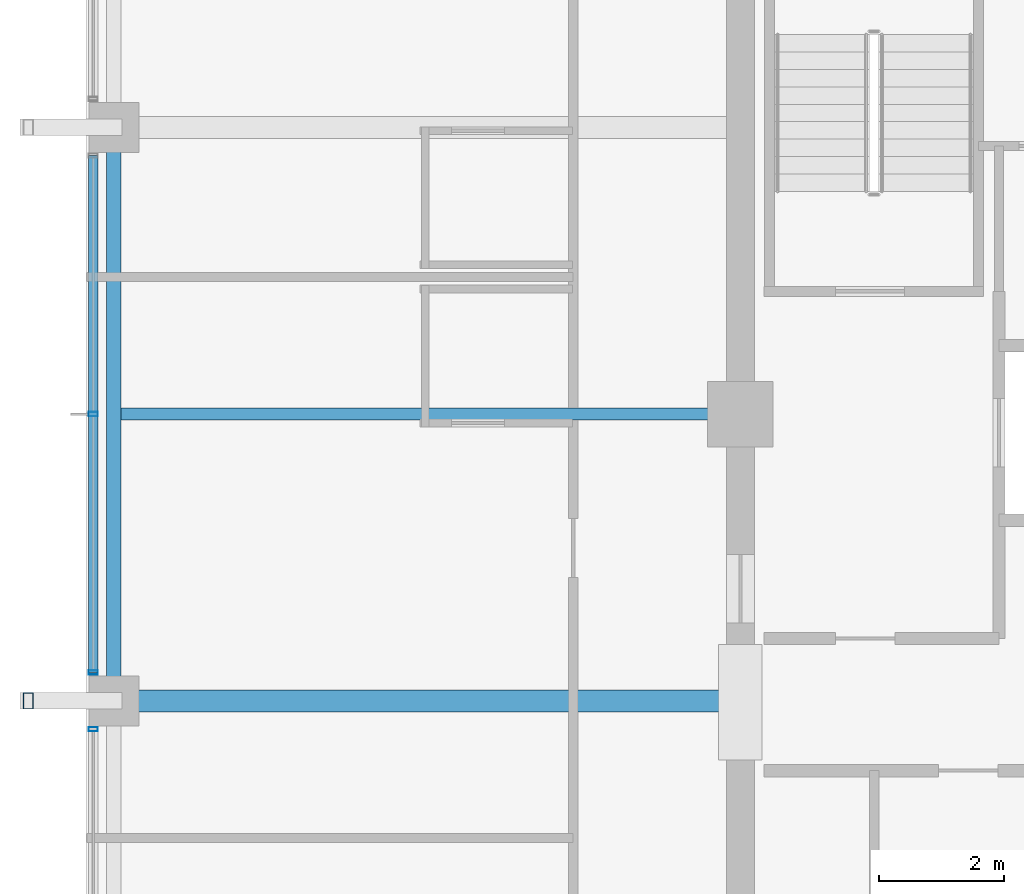
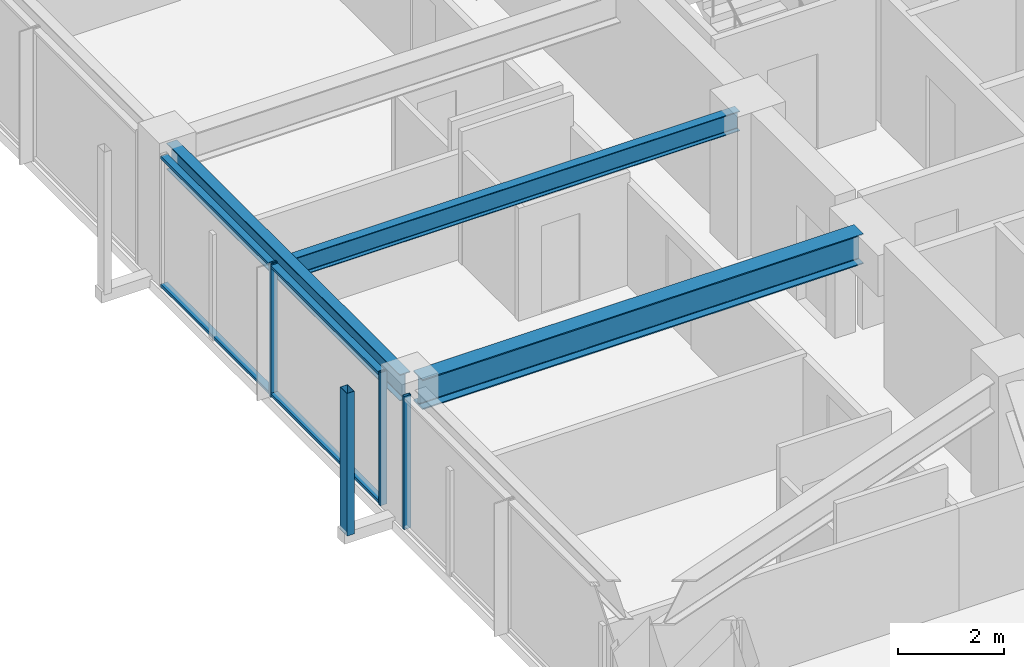
# One storey, part 8 of 38: 6 members, 3 beams, 2 elements without a shape of their own.
"""IFC4 building model written with IfcOpenShell, lengths in metres."""

from ifc_helpers import new_model, si_unit, direction, frame, origin, origin_2d, place, context, subcontext, project, spatial, hollow_rectangle, i_section, extrude, material, material_profile, profile_set, type_object, element, aggregate, save


model = new_model("IFC4")

# Units and contexts
model_context = context("Model", 3, precision=1e-05, world=origin(), true_north=direction((0.0, 1.0)))
body_context = subcontext(model_context, "Body", "Model", "MODEL_VIEW")
ifc_project = project(units=[si_unit("LENGTHUNIT", "METRE"), si_unit("AREAUNIT", "SQUARE_METRE"), si_unit("VOLUMEUNIT", "CUBIC_METRE"), si_unit("PLANEANGLEUNIT", "RADIAN"), si_unit("MASSUNIT", "GRAM", prefix="KILO")], contexts=[model_context])

# Site, building, storey
site_placement = place(None, origin())
site = spatial("IfcSite", under=ifc_project, at=site_placement, CompositionType="ELEMENT")
building_placement = place(site_placement, origin())
building = spatial("IfcBuilding", under=site, at=building_placement, Name="Kolvaren Belvedere", CompositionType="ELEMENT")
storey_placement = place(building_placement, frame((0.0, 0.0, 213.0)))
storey = spatial("IfcBuildingStorey", under=building, at=storey_placement, Name="L62", CompositionType="ELEMENT", Elevation=213.0)

# Beams
ifc_material_1 = material(Name="Structural steel ASTM A992 Grade 50", Category="steel")
ifc_material_profile_1 = material_profile(ifc_material_1, i_section(OverallWidth=0.35498046875, OverallDepth=0.696044921875, WebThickness=0.015380859375, FlangeThickness=0.02490234375, FilletRadius=0.02197265625, at=origin_2d()), Name="W27X146")
ifc_profile_set_1 = profile_set([ifc_material_profile_1], Name="Structural steel ASTM A992 Grade 50")
beam_type_1 = type_object("IfcBeamType", Name="BM-GIRD-W27X146", PredefinedType="BEAM", material=ifc_profile_set_1)
beam_1_placement = place(storey_placement, frame((-10.125, -4.60009765625, 2.73193359375), z_axis=(-1.0, 0.0, 0.0), x_axis=(0.0, -1.0, 0.0)))
element("IfcBeam", 1, at=beam_1_placement, inside=storey, type_object=beam_type_1, Name="L62 West Radial Girder M", PredefinedType="BEAM", context=body_context, shape_type="SweptSolid", body=[
    extrude(i_section(OverallWidth=0.35498046875, OverallDepth=0.696044921875, WebThickness=0.015380859375, FlangeThickness=0.02490234375, FilletRadius=0.02197265625, at=origin_2d()), origin(), (0.0, 0.0, 1.0), 9.64501953125),
])
ifc_material_2 = material(Name="Structural steel ASTM A992 Grade 50", Category="steel")
ifc_material_profile_2 = material_profile(ifc_material_2, i_section(OverallWidth=0.19091796875, OverallDepth=0.4599609375, WebThickness=0.010009765625, FlangeThickness=0.01611328125, FilletRadius=0.014892578125, at=origin_2d()), Name="W18X55")
ifc_profile_set_2 = profile_set([ifc_material_profile_2], Name="Structural steel ASTM A992 Grade 50")
beam_type_2 = type_object("IfcBeamType", Name="BM-JOIST-W18X55", PredefinedType="BEAM", material=ifc_profile_set_2)
beam_2_placement = place(storey_placement, frame((-10.125, 0.0, 2.85009765625), z_axis=(-1.0, 0.0, 0.0), x_axis=(0.0, -1.0, 0.0)))
element("IfcBeam", 2, at=beam_2_placement, inside=storey, type_object=beam_type_2, Name="L62 West Centre Floor Beam", PredefinedType="BEAM", context=body_context, shape_type="SweptSolid", body=[
    extrude(i_section(OverallWidth=0.19091796875, OverallDepth=0.4599609375, WebThickness=0.010009765625, FlangeThickness=0.01611328125, FilletRadius=0.014892578125, at=origin_2d()), origin(), (0.0, 0.0, 1.0), 9.71044921875),
])
ifc_material_3 = material(Name="Structural steel ASTM A992 Grade 50", Category="steel")
ifc_material_profile_3 = material_profile(ifc_material_3, i_section(OverallWidth=0.22900390625, OverallDepth=0.612060546875, WebThickness=0.011962890625, FlangeThickness=0.01953125, FilletRadius=0.01806640625, at=origin_2d()), Name="W24X84")
ifc_profile_set_3 = profile_set([ifc_material_profile_3], Name="Structural steel ASTM A992 Grade 50")
beam_type_3 = type_object("IfcBeamType", Name="BM-SPAN-W24X84", PredefinedType="SPANDREL", material=ifc_profile_set_3)
beam_3_placement = place(storey_placement, frame((-19.949951171875, 4.419921875, 2.77392578125), z_axis=(0.0, -1.0, 0.0), x_axis=(1.0, 0.0, 0.0)))
element("IfcBeam", 3, at=beam_3_placement, inside=storey, type_object=beam_type_3, Name="L62 Perimeter Spandrel W3-W2", PredefinedType="SPANDREL", context=body_context, shape_type="SweptSolid", body=[
    extrude(i_section(OverallWidth=0.22900390625, OverallDepth=0.612060546875, WebThickness=0.011962890625, FlangeThickness=0.01953125, FilletRadius=0.01806640625, at=origin_2d()), origin(), (0.0, 0.0, 1.0), 8.83984375),
])

# Curtain wall, member
ifc_material_4 = material(Name="Anodised pale-metal aluminium AA 6063-T6", Category="aluminium")
curtain_wall_type = type_object("IfcCurtainWallType", Name="CW-Z5-HIGH", PredefinedType="NOTDEFINED", material=ifc_material_4)
curtain_wall_1_placement = place(storey_placement, origin())
curtain_wall_1 = element("IfcCurtainWall", 4, at=curtain_wall_1_placement, inside=storey, type_object=curtain_wall_type, Name="L62 Unitised Curtain Wall FCW-L62-W-B1", PredefinedType="NOTDEFINED")
ifc_material_5 = material(Name="Anodised pale-metal aluminium AA 6063-T6", Category="aluminium")
ifc_material_profile_4 = material_profile(ifc_material_5, hollow_rectangle(XDim=0.070068359375, YDim=0.14990234375, WallThickness=0.004150390625, at=origin_2d()), Name="ALU-MUL-150X70")
ifc_profile_set_4 = profile_set([ifc_material_profile_4], Name="Anodised pale-metal aluminium AA 6063-T6")
member_type_1 = type_object("IfcMemberType", Name="CW-MUL-150", PredefinedType="MULLION", material=ifc_profile_set_4)
member_1_placement = place(storey_placement, frame((-20.280029296875, -5.054931640625, 0.0), z_axis=(0.0, 0.0, 1.0), x_axis=(0.0, 1.0, 0.0)))
member_1 = element("IfcMember", 5, at=member_1_placement, type_object=member_type_1, Name="FCW-L62-W-B1 Unitised Mullion 3", PredefinedType="MULLION", context=body_context, shape_type="SweptSolid", body=[
    extrude(hollow_rectangle(XDim=0.070068359375, YDim=0.14990234375, WallThickness=0.004150390625, at=origin_2d()), origin(), (0.0, 0.0, 1.0), 3.080078125),
])
aggregate(curtain_wall_1, [member_1])

# Curtain wall, members
curtain_wall_2_placement = place(storey_placement, origin())
curtain_wall_2 = element("IfcCurtainWall", 6, at=curtain_wall_2_placement, inside=storey, type_object=curtain_wall_type, Name="L62 Unitised Curtain Wall FCW-L62-W-B2", PredefinedType="NOTDEFINED")
member_2_placement = place(storey_placement, frame((-20.280029296875, -4.14501953125, 0.0), z_axis=(0.0, 0.0, 1.0), x_axis=(0.0, 1.0, 0.0)))
member_2 = element("IfcMember", 7, at=member_2_placement, type_object=member_type_1, Name="FCW-L62-W-B2 Unitised Mullion 1", PredefinedType="MULLION", context=body_context, shape_type="SweptSolid", body=[
    extrude(hollow_rectangle(XDim=0.070068359375, YDim=0.14990234375, WallThickness=0.004150390625, at=origin_2d()), origin(), (0.0, 0.0, 1.0), 3.080078125),
])
member_3_placement = place(storey_placement, frame((-20.280029296875, 0.0, 0.0), z_axis=(0.0, 0.0, 1.0), x_axis=(0.0, 1.0, 0.0)))
member_3 = element("IfcMember", 8, at=member_3_placement, type_object=member_type_1, Name="FCW-L62-W-B2 Unitised Mullion 2", PredefinedType="MULLION", context=body_context, shape_type="SweptSolid", body=[
    extrude(hollow_rectangle(XDim=0.070068359375, YDim=0.14990234375, WallThickness=0.004150390625, at=origin_2d()), origin(), (0.0, 0.0, 1.0), 3.080078125),
])
ifc_material_6 = material(Name="Anodised pale-metal aluminium AA 6063-T6", Category="aluminium")
ifc_material_profile_5 = material_profile(ifc_material_6, hollow_rectangle(XDim=0.06494140625, YDim=0.14990234375, WallThickness=0.00390625, at=origin_2d()), Name="ALU-TRN-150X65")
ifc_profile_set_5 = profile_set([ifc_material_profile_5], Name="Anodised pale-metal aluminium AA 6063-T6")
member_type_2 = type_object("IfcMemberType", Name="CW-TRN-150", PredefinedType="USERDEFINED", material=ifc_profile_set_5)
member_4_placement = place(storey_placement, frame((-20.280029296875, -4.14501953125, 0.06005859375), z_axis=(0.0, 1.0, 0.0), x_axis=(0.0, 0.0, 1.0)))
member_4 = element("IfcMember", 9, at=member_4_placement, type_object=member_type_2, Name="FCW-L62-W-B2 Sill Transom", ObjectType="TRANSOM", PredefinedType="USERDEFINED", context=body_context, shape_type="SweptSolid", body=[
    extrude(hollow_rectangle(XDim=0.06494140625, YDim=0.14990234375, WallThickness=0.00390625, at=origin_2d()), origin(), (0.0, 0.0, 1.0), 8.2900390625),
])
member_5_placement = place(storey_placement, frame((-20.280029296875, -4.14501953125, 3.02001953125), z_axis=(0.0, 1.0, 0.0), x_axis=(0.0, 0.0, 1.0)))
member_5 = element("IfcMember", 10, at=member_5_placement, type_object=member_type_2, Name="FCW-L62-W-B2 Head Transom", ObjectType="TRANSOM", PredefinedType="USERDEFINED", context=body_context, shape_type="SweptSolid", body=[
    extrude(hollow_rectangle(XDim=0.06494140625, YDim=0.14990234375, WallThickness=0.00390625, at=origin_2d()), origin(), (0.0, 0.0, 1.0), 8.2900390625),
])
aggregate(curtain_wall_2, [member_2, member_3, member_4, member_5])

# Member
ifc_material_7 = material(Name="Anodised pale-metal aluminium AA 6063-T6", Category="aluminium")
ifc_material_profile_6 = material_profile(ifc_material_7, hollow_rectangle(XDim=0.159912109375, YDim=0.260009765625, WallThickness=0.006591796875, at=origin_2d()), Name="ALU-PF-260X160")
ifc_profile_set_6 = profile_set([ifc_material_profile_6], Name="Anodised pale-metal aluminium AA 6063-T6")
member_type_3 = type_object("IfcMemberType", Name="PF-FRAME-260", PredefinedType="USERDEFINED", material=ifc_profile_set_6)
member_6_placement = place(storey_placement, frame((-21.320068359375, -4.60009765625, 0.0), z_axis=(0.0, 0.0, 1.0), x_axis=(1.0, 0.0, 0.0)))
element("IfcMember", 11, at=member_6_placement, inside=storey, type_object=member_type_3, Name="L62 Outboard Picture-Frame Vertical W1", ObjectType="PICTURE FRAME FIN", PredefinedType="USERDEFINED", context=body_context, shape_type="SweptSolid", body=[
    extrude(hollow_rectangle(XDim=0.159912109375, YDim=0.260009765625, WallThickness=0.006591796875, at=origin_2d()), origin(), (0.0, 0.0, 1.0), 3.300048828125),
])

save(model, "model.ifc")
